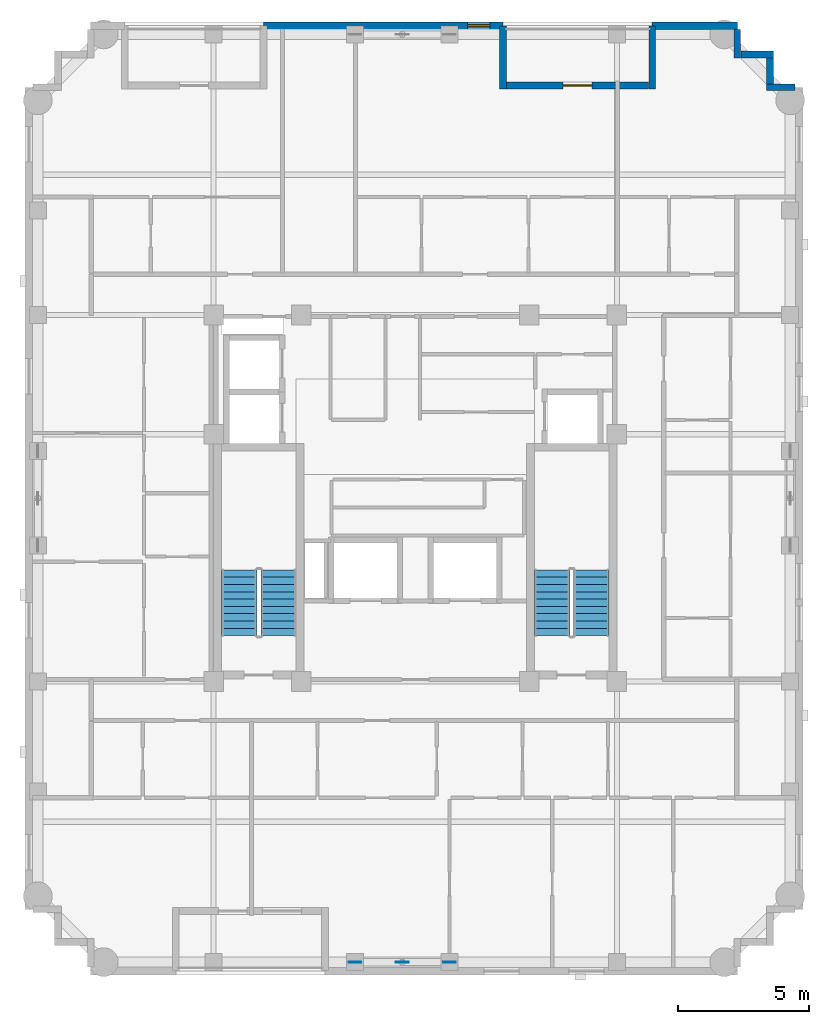
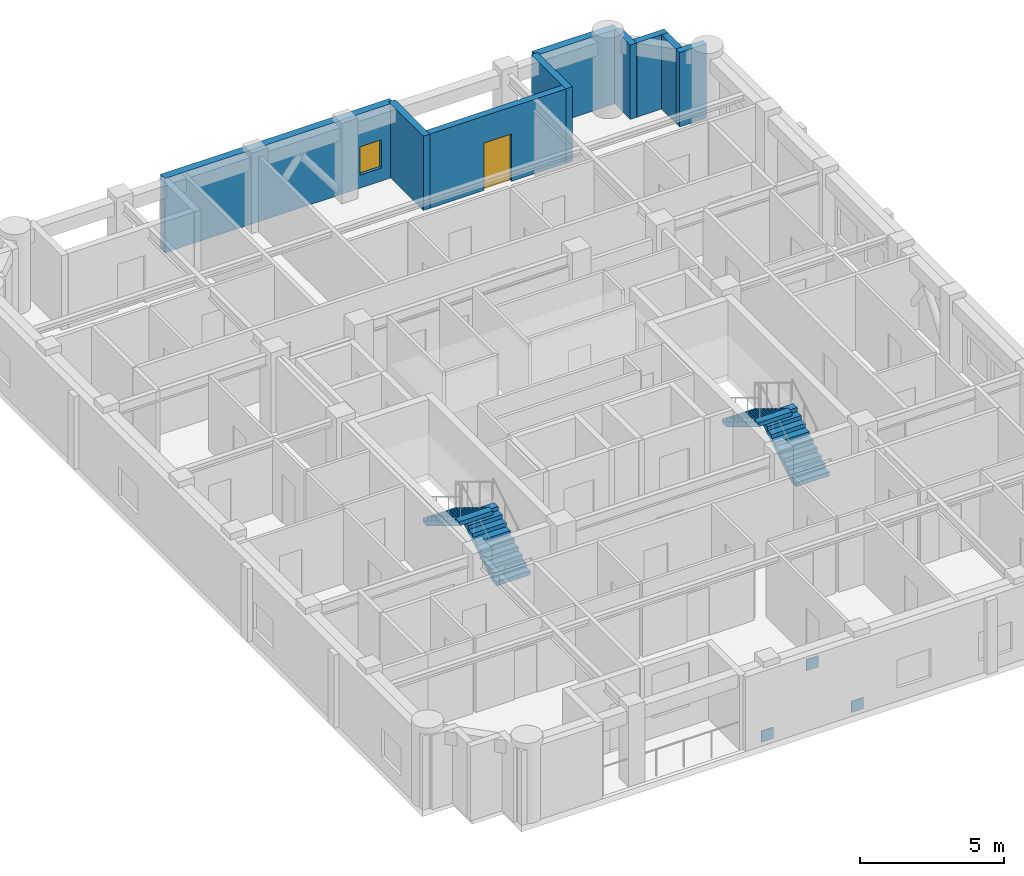
# One storey, part 7 of 10: 9 walls, 4 stair flights, 3 discrete accessories, 1 door, 1 window, 2 openings, 2 elements without a shape of their own.
"""IFC4 building model written with IfcOpenShell, lengths in metres."""

from ifc_helpers import new_model, si_unit, derived_unit, direction, frame, frame_2d, origin, origin_2d, place, context, subcontext, project, spatial, polyline, rectangle, outline, extrude, material, layer, layer_set, type_object, element, fill, aggregate, save


model = new_model("IFC4")

# Units and contexts
model_context = context("Model", 3, precision=1e-05, world=origin(), true_north=direction((0.0, 1.0)))
body_context = subcontext(model_context, "Body", "Model", "MODEL_VIEW")
ifc_project = project(units=[si_unit("LENGTHUNIT", "METRE"), si_unit("AREAUNIT", "SQUARE_METRE"), si_unit("VOLUMEUNIT", "CUBIC_METRE"), si_unit("PLANEANGLEUNIT", "RADIAN"), si_unit("MASSUNIT", "GRAM", prefix="KILO"), derived_unit("THERMALTRANSMITTANCEUNIT", [(si_unit("MASSUNIT", "GRAM", prefix="KILO"), 1), (si_unit("TIMEUNIT", "SECOND"), -3), (si_unit("THERMODYNAMICTEMPERATUREUNIT", "KELVIN"), -1)])], contexts=[model_context])

# Site, building, storey
site_placement = place(None, origin())
site = spatial("IfcSite", under=ifc_project, at=site_placement, CompositionType="ELEMENT")
building_placement = place(site_placement, origin())
building = spatial("IfcBuilding", under=site, at=building_placement, Name="Korrvale Station Residences", CompositionType="ELEMENT")
storey_placement = place(building_placement, frame((0.0, 0.0, 220.699951171875)))
storey = spatial("IfcBuildingStorey", under=building, at=storey_placement, Name="L64", CompositionType="ELEMENT", Elevation=220.699951171875)

# Wall
ifc_material_1 = material(Name="Precast concrete C45/55", Category="concrete")
ifc_layer_1 = layer(ifc_material_1, 0.260009765625, Name="Precast concrete C45/55")
ifc_layer_set_1 = layer_set([ifc_layer_1], Name="Precast concrete C45/55")
wall_type_1 = type_object("IfcWallType", Name="WAL-EXT-LOG260", PredefinedType="SOLIDWALL", material=ifc_layer_set_1)
wall_1_placement = place(storey_placement, frame((28.85009765625, 40.0400390625, 0.0), z_axis=(0.0, 0.0, 1.0), x_axis=(0.0, -1.0, 0.0)))
element("IfcWall", 1, at=wall_1_placement, inside=storey, type_object=wall_type_1, Name="L64 Recessed Loggia Wall BAL-L64-N1-L", PredefinedType="SOLIDWALL", context=body_context, shape_type="SweptSolid", body=[
    extrude(rectangle(XDim=2.400146484375, YDim=0.260009765625, at=frame_2d((1.2001953125, 0.0))), origin(), (0.0, 0.0, 1.0), 3.14013671875),
])

# Wall, opening, door
wall_2_placement = place(storey_placement, frame((28.98388671875, 37.77001953125, 0.0), z_axis=(0.0, 0.0, 1.0), x_axis=(1.0, 0.0, 0.0)))
wall_2 = element("IfcWall", 2, at=wall_2_placement, inside=storey, type_object=wall_type_1, Name="L64 Recessed Loggia Wall BAL-L64-N1-B", PredefinedType="SOLIDWALL", context=body_context, shape_type="SweptSolid", body=[
    extrude(rectangle(XDim=5.43212890625, YDim=0.260009765625, at=frame_2d((2.716064453125, 0.0))), origin(), (0.0, 0.0, 1.0), 3.14013671875),
])
opening_1_placement = place(wall_2_placement, frame((2.166015625, 0.0, 0.0)))
opening_1 = element("IfcOpeningElement", 3, at=opening_1_placement, cuts=wall_2, Name="Opening BD-01", PredefinedType="OPENING", context=body_context, shape_type="SweptSolid", body=[
    extrude(rectangle(XDim=1.10009765625, YDim=2.0, at=frame_2d((0.550048828125, 1.0))), frame((0.0, 0.14013671875, 0.0), z_axis=(0.0, -1.0, 0.0), x_axis=(1.0, 0.0, 0.0)), (0.0, 0.0, 1.0), 0.280029296875),
])
ifc_material_2 = material(Name="Exterior thermally broken aluminium glazed balcony door", Category="aluminium")
door_type = type_object("IfcDoorType", Name="DR-EXT-BAL", OperationType="NOTDEFINED", PredefinedType="DOOR", material=ifc_material_2)
door_placement = place(opening_1_placement, origin())
door = element("IfcDoor", 4, at=door_placement, inside=storey, type_object=door_type, Name="L64 Loggia Balcony Door BAL-L64-N1", OperationType="SINGLE_SWING_RIGHT", OverallHeight=2.0, OverallWidth=1.10009765625, PredefinedType="DOOR", context=body_context, shape_type="SweptSolid", body=[
    extrude(rectangle(XDim=1.10009765625, YDim=2.0, at=frame_2d((0.550048828125, 1.0))), frame((0.0, 0.02490234375, 0.0), z_axis=(0.0, -1.0, 0.0), x_axis=(1.0, 0.0, 0.0)), (0.0, 0.0, 1.0), 0.050048828125),
])
fill(opening_1, door)

# Walls
wall_3_placement = place(storey_placement, frame((34.550048828125, 37.639892578125, 0.0), z_axis=(0.0, 0.0, 1.0), x_axis=(0.0, 1.0, 0.0)))
element("IfcWall", 5, at=wall_3_placement, inside=storey, type_object=wall_type_1, Name="L64 Recessed Loggia Wall BAL-L64-N1-R", PredefinedType="SOLIDWALL", context=body_context, shape_type="SweptSolid", body=[
    extrude(rectangle(XDim=2.400146484375, YDim=0.260009765625, at=frame_2d((1.2001953125, 0.0))), origin(), (0.0, 0.0, 1.0), 3.14013671875),
])
wall_4_placement = place(storey_placement, frame((37.800048828125, 39.89794921875, 0.0), z_axis=(0.0, 0.0, 1.0), x_axis=(0.0, -1.0, 0.0)))
element("IfcWall", 6, at=wall_4_placement, inside=storey, type_object=wall_type_1, Name="L64 Serrated Corner Precast Step NE-1", PredefinedType="SOLIDWALL", context=body_context, shape_type="SweptSolid", body=[
    extrude(rectangle(XDim=1.077880859375, YDim=0.260009765625, at=frame_2d((0.5390625, 0.0))), origin(), (0.0, 0.0, 1.0), 3.14013671875),
])
wall_5_placement = place(storey_placement, frame((37.931884765625, 38.949951171875, 0.0), z_axis=(0.0, 0.0, 1.0), x_axis=(1.0, 0.0, 0.0)))
element("IfcWall", 7, at=wall_5_placement, inside=storey, type_object=wall_type_1, Name="L64 Serrated Corner Precast Step NE-2", PredefinedType="SOLIDWALL", context=body_context, shape_type="SweptSolid", body=[
    extrude(rectangle(XDim=1.248046875, YDim=0.260009765625, at=frame_2d((0.6240234375, 0.0))), origin(), (0.0, 0.0, 1.0), 3.14013671875),
])
wall_6_placement = place(storey_placement, frame((39.050048828125, 38.818115234375, 0.0), z_axis=(0.0, 0.0, 1.0), x_axis=(0.0, -1.0, 0.0)))
element("IfcWall", 8, at=wall_6_placement, inside=storey, type_object=wall_type_1, Name="L64 Serrated Corner Precast Step NE-3", PredefinedType="SOLIDWALL", context=body_context, shape_type="SweptSolid", body=[
    extrude(rectangle(XDim=0.986083984375, YDim=0.260009765625, at=frame_2d((0.4931640625, 0.0))), origin(), (0.0, 0.0, 1.0), 3.14013671875),
])
wall_7_placement = place(storey_placement, frame((38.919921875, 37.699951171875, 0.0), z_axis=(0.0, 0.0, 1.0), x_axis=(1.0, 0.0, 0.0)))
element("IfcWall", 9, at=wall_7_placement, inside=storey, type_object=wall_type_1, Name="L64 Serrated Corner Precast Step NE-4", PredefinedType="SOLIDWALL", context=body_context, shape_type="SweptSolid", body=[
    extrude(rectangle(XDim=1.078125, YDim=0.260009765625, at=frame_2d((0.5390625, 0.0))), origin(), (0.0, 0.0, 1.0), 3.14013671875),
])

# Wall, opening, window
ifc_layer_2 = layer(ifc_material_1, 0.300048828125, Name="Precast concrete C45/55")
ifc_layer_set_2 = layer_set([ifc_layer_2], Name="Precast concrete C45/55")
wall_type_2 = type_object("IfcWallType", Name="WAL-EXT-PC300", PredefinedType="SOLIDWALL", material=ifc_layer_set_2)
wall_8_placement = place(storey_placement, frame((19.699951171875, 40.050048828125, 0.0), z_axis=(0.0, 0.0, 1.0), x_axis=(1.0, 0.0, 0.0)))
wall_8 = element("IfcWall", 10, at=wall_8_placement, inside=storey, type_object=wall_type_2, Name="L64 North Exterior Precast Wall 2", PredefinedType="SOLIDWALL", context=body_context, shape_type="SweptSolid", body=[
    extrude(rectangle(XDim=9.150146484375, YDim=0.300048828125, at=frame_2d((4.5751953125, 0.0))), origin(), (0.0, 0.0, 1.0), 3.14013671875),
])
opening_2_placement = place(wall_8_placement, frame((7.800048828125, 0.0, 0.550048828125)))
opening_2 = element("IfcOpeningElement", 11, at=opening_2_placement, cuts=wall_8, Name="Opening W-11", PredefinedType="OPENING", context=body_context, shape_type="SweptSolid", body=[
    extrude(rectangle(XDim=0.85009765625, YDim=1.199951171875, at=frame_2d((0.425048828125, 0.60009765625))), frame((0.0, 0.16015625, 0.0), z_axis=(0.0, -1.0, 0.0), x_axis=(1.0, 0.0, 0.0)), (0.0, 0.0, 1.0), 0.320068359375),
])
ifc_material_3 = material(Name="Thermally broken aluminium frame with triple low-e glazing", Category="aluminium")
window_type = type_object("IfcWindowType", Name="WIN-W11", PartitioningType="SINGLE_PANEL", PredefinedType="WINDOW", material=ifc_material_3)
window_placement = place(opening_2_placement, origin())
window = element("IfcWindow", 12, at=window_placement, inside=storey, type_object=window_type, Name="L64 Punched Window 07", OverallHeight=1.199951171875, OverallWidth=0.85009765625, PartitioningType="SINGLE_PANEL", PredefinedType="WINDOW", context=body_context, shape_type="SweptSolid", body=[
    extrude(rectangle(XDim=0.85009765625, YDim=1.199951171875, at=frame_2d((0.425048828125, 0.60009765625))), frame((0.0, 0.030029296875, 0.0), z_axis=(0.0, -1.0, 0.0), x_axis=(1.0, 0.0, 0.0)), (0.0, 0.0, 1.0), 0.06005859375),
])
fill(opening_2, window)

# Wall
wall_9_placement = place(storey_placement, frame((34.550048828125, 40.050048828125, 0.0), z_axis=(0.0, 0.0, 1.0), x_axis=(1.0, 0.0, 0.0)))
element("IfcWall", 13, at=wall_9_placement, inside=storey, type_object=wall_type_2, Name="L64 North Exterior Precast Wall 3", PredefinedType="SOLIDWALL", context=body_context, shape_type="SweptSolid", body=[
    extrude(rectangle(XDim=3.25, YDim=0.300048828125, at=frame_2d((1.625, 0.0))), origin(), (0.0, 0.0, 1.0), 3.14013671875),
])

# Stair, stair flights
ifc_material_4 = material(Name="Concrete C50/60", Category="concrete")
stair_type = type_object("IfcStairType", Name="STR-DL-1350-20R-1700", PredefinedType="HALF_TURN_STAIR", material=ifc_material_4)
stair_1_placement = place(storey_placement, origin())
stair_1 = element("IfcStair", 14, at=stair_1_placement, inside=storey, type_object=stair_type, Name="L64 Exit Stair 1", PredefinedType="HALF_TURN_STAIR")
stair_flight_type = type_object("IfcStairFlightType", Name="FLT-DL-1350-20R-1700", PredefinedType="STRAIGHT", material=ifc_material_4)
stair_flight_1_placement = place(storey_placement, frame((20.27490234375, 16.75, 0.0), z_axis=(0.0, 0.0, 1.0), x_axis=(0.0, 1.0, 0.0)))
stair_flight_1 = element("IfcStairFlight", 15, at=stair_flight_1_placement, type_object=stair_flight_type, Name="ST-1 flight 1", NumberOfRisers=10, NumberOfTreads=9, PredefinedType="STRAIGHT", RiserHeight=0.17, TreadLength=0.28, context=body_context, shape_type="SweptSolid", body=[
    extrude(outline(polyline([(0.0, 0.0), (0.0, 0.169921875), (0.280029296875, 0.169921875), (0.280029296875, 0.340087890625), (0.56005859375, 0.340087890625), (0.56005859375, 0.510009765625), (0.840087890625, 0.510009765625), (0.840087890625, 0.679931640625), (1.1201171875, 0.679931640625), (1.1201171875, 0.85009765625), (1.39990234375, 0.85009765625), (1.39990234375, 1.02001953125), (1.679931640625, 1.02001953125), (1.679931640625, 1.18994140625), (1.9599609375, 1.18994140625), (1.9599609375, 1.360107421875), (2.239990234375, 1.360107421875), (2.239990234375, 1.530029296875), (2.52001953125, 1.530029296875), (2.52001953125, 1.699951171875), (2.52001953125, 1.354736328125), (0.288818359375, 0.0), (0.0, 0.0)])), frame((0.0, 0.675048828125, 0.0), z_axis=(0.0, -1.0, 0.0), x_axis=(1.0, 0.0, 0.0)), (0.0, 0.0, 1.0), 1.35009765625),
])
stair_flight_2_placement = place(storey_placement, frame((18.77490234375, 19.27001953125, 1.699951171875), z_axis=(0.0, 0.0, 1.0), x_axis=(0.0, -1.0, 0.0)))
stair_flight_2 = element("IfcStairFlight", 16, at=stair_flight_2_placement, type_object=stair_flight_type, Name="ST-1 flight 2", NumberOfRisers=10, NumberOfTreads=9, PredefinedType="STRAIGHT", RiserHeight=0.17, TreadLength=0.28, context=body_context, shape_type="SweptSolid", body=[
    extrude(outline(polyline([(0.0, 0.0), (0.0, 0.169921875), (0.280029296875, 0.169921875), (0.280029296875, 0.340087890625), (0.56005859375, 0.340087890625), (0.56005859375, 0.510009765625), (0.840087890625, 0.510009765625), (0.840087890625, 0.679931640625), (1.1201171875, 0.679931640625), (1.1201171875, 0.85009765625), (1.39990234375, 0.85009765625), (1.39990234375, 1.02001953125), (1.679931640625, 1.02001953125), (1.679931640625, 1.18994140625), (1.9599609375, 1.18994140625), (1.9599609375, 1.360107421875), (2.239990234375, 1.360107421875), (2.239990234375, 1.530029296875), (2.52001953125, 1.530029296875), (2.52001953125, 1.699951171875), (2.52001953125, 1.354736328125), (0.288818359375, 0.0), (0.0, 0.0)])), frame((0.0, 0.675048828125, 0.0), z_axis=(0.0, -1.0, 0.0), x_axis=(1.0, 0.0, 0.0)), (0.0, 0.0, 1.0), 1.35009765625),
])
aggregate(stair_1, [stair_flight_1, stair_flight_2])

stair_2_placement = place(storey_placement, origin())
stair_2 = element("IfcStair", 17, at=stair_2_placement, inside=storey, type_object=stair_type, Name="L64 Exit Stair 2", PredefinedType="HALF_TURN_STAIR")
stair_flight_3_placement = place(storey_placement, frame((32.22509765625, 16.75, 0.0), z_axis=(0.0, 0.0, 1.0), x_axis=(0.0, 1.0, 0.0)))
stair_flight_3 = element("IfcStairFlight", 18, at=stair_flight_3_placement, type_object=stair_flight_type, Name="ST-2 flight 1", NumberOfRisers=10, NumberOfTreads=9, PredefinedType="STRAIGHT", RiserHeight=0.17, TreadLength=0.28, context=body_context, shape_type="SweptSolid", body=[
    extrude(outline(polyline([(0.0, 0.0), (0.0, 0.169921875), (0.280029296875, 0.169921875), (0.280029296875, 0.340087890625), (0.56005859375, 0.340087890625), (0.56005859375, 0.510009765625), (0.840087890625, 0.510009765625), (0.840087890625, 0.679931640625), (1.1201171875, 0.679931640625), (1.1201171875, 0.85009765625), (1.39990234375, 0.85009765625), (1.39990234375, 1.02001953125), (1.679931640625, 1.02001953125), (1.679931640625, 1.18994140625), (1.9599609375, 1.18994140625), (1.9599609375, 1.360107421875), (2.239990234375, 1.360107421875), (2.239990234375, 1.530029296875), (2.52001953125, 1.530029296875), (2.52001953125, 1.699951171875), (2.52001953125, 1.354736328125), (0.288818359375, 0.0), (0.0, 0.0)])), frame((0.0, 0.675048828125, 0.0), z_axis=(0.0, -1.0, 0.0), x_axis=(1.0, 0.0, 0.0)), (0.0, 0.0, 1.0), 1.35009765625),
])
stair_flight_4_placement = place(storey_placement, frame((30.72509765625, 19.27001953125, 1.699951171875), z_axis=(0.0, 0.0, 1.0), x_axis=(0.0, -1.0, 0.0)))
stair_flight_4 = element("IfcStairFlight", 19, at=stair_flight_4_placement, type_object=stair_flight_type, Name="ST-2 flight 2", NumberOfRisers=10, NumberOfTreads=9, PredefinedType="STRAIGHT", RiserHeight=0.17, TreadLength=0.28, context=body_context, shape_type="SweptSolid", body=[
    extrude(outline(polyline([(0.0, 0.0), (0.0, 0.169921875), (0.280029296875, 0.169921875), (0.280029296875, 0.340087890625), (0.56005859375, 0.340087890625), (0.56005859375, 0.510009765625), (0.840087890625, 0.510009765625), (0.840087890625, 0.679931640625), (1.1201171875, 0.679931640625), (1.1201171875, 0.85009765625), (1.39990234375, 0.85009765625), (1.39990234375, 1.02001953125), (1.679931640625, 1.02001953125), (1.679931640625, 1.18994140625), (1.9599609375, 1.18994140625), (1.9599609375, 1.360107421875), (2.239990234375, 1.360107421875), (2.239990234375, 1.530029296875), (2.52001953125, 1.530029296875), (2.52001953125, 1.699951171875), (2.52001953125, 1.354736328125), (0.288818359375, 0.0), (0.0, 0.0)])), frame((0.0, 0.675048828125, 0.0), z_axis=(0.0, -1.0, 0.0), x_axis=(1.0, 0.0, 0.0)), (0.0, 0.0, 1.0), 1.35009765625),
])
aggregate(stair_2, [stair_flight_3, stair_flight_4])

# Discrete accessories
ifc_material_5 = material(Name="Steel S355", Category="steel")
ifc_layer_3 = layer(ifc_material_5, 0.02490234375, Name="Steel S355")
ifc_layer_set_3 = layer_set([ifc_layer_3], Name="Steel S355")
discrete_accessory_type = type_object("IfcDiscreteAccessoryType", Name="ACC-GUSSET-25", PredefinedType="BRACKET", material=ifc_layer_set_3)
for number, where, z_axis, x_axis, name in (
    (20, (23.199951171875, 4.280029296875, -0.219970703125), (0.0, 0.0, 1.0), (1.0, 0.0, 0.0), "L64 S Brace End Gusset Connection A"),
    (21, (26.800048828125, 4.280029296875, -0.219970703125), (0.0, 0.0, 1.0), (1.0, 0.0, 0.0), "L64 S Brace End Gusset Connection B"),
    (22, (25.0, 4.280029296875, 2.170166015625), (0.0, 0.0, 1.0), (1.0, 0.0, 0.0), "L64 S Brace End Gusset Connection M"),
):
    element("IfcDiscreteAccessory", number, at=place(storey_placement, frame(where, z_axis=z_axis, x_axis=x_axis)), inside=storey, type_object=discrete_accessory_type, Name=name, PredefinedType="BRACKET", context=body_context, shape_type="SweptSolid", body=[
        extrude(rectangle(XDim=0.47998046875, YDim=0.02490234375, at=origin_2d()), origin(), (0.0, 0.0, 1.0), 0.47998046875),
    ])

save(model, "model.ifc")
